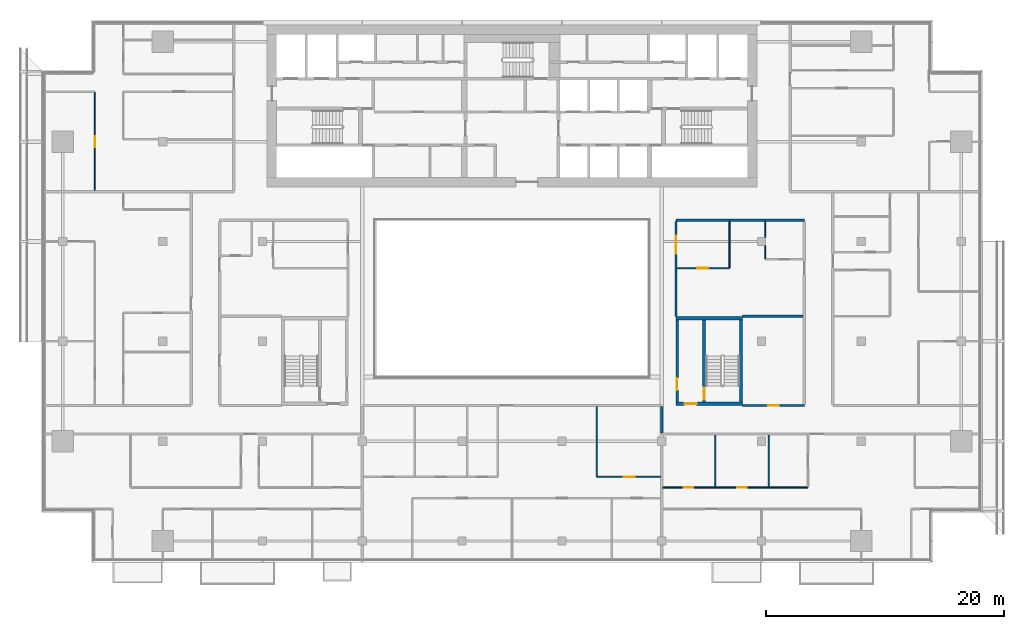
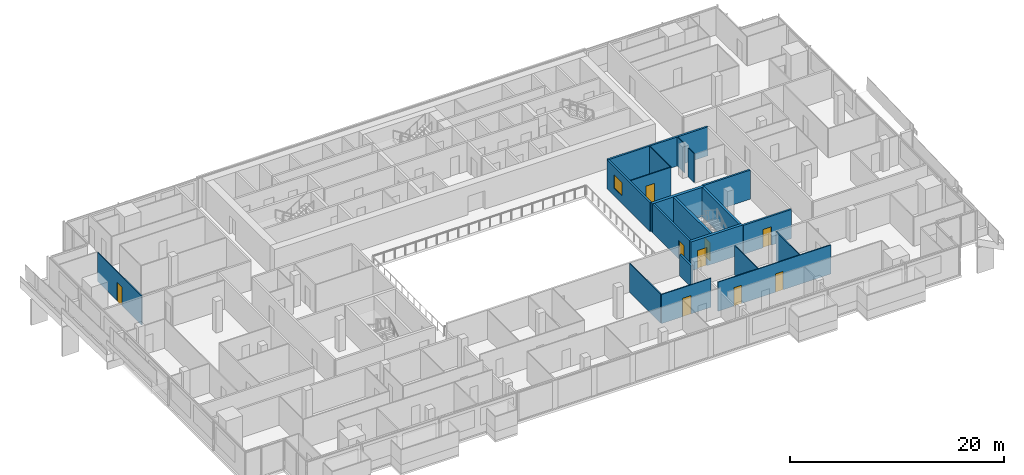
# One storey, part 20 of 29: 20 walls, 9 doors, 1 window, 10 openings.
"""IFC4 building model written with IfcOpenShell, lengths in metres."""

from ifc_helpers import new_model, si_unit, direction, frame, frame_2d, origin, place, context, subcontext, project, spatial, rectangle, extrude, material, layer, layer_set, type_object, element, fill, save


model = new_model("IFC4")

# Units and contexts
model_context = context("Model", 3, precision=1e-05, world=origin(), true_north=direction((0.0, 1.0)))
body_context = subcontext(model_context, "Body", "Model", "MODEL_VIEW")
ifc_project = project(units=[si_unit("LENGTHUNIT", "METRE"), si_unit("AREAUNIT", "SQUARE_METRE"), si_unit("VOLUMEUNIT", "CUBIC_METRE"), si_unit("PLANEANGLEUNIT", "RADIAN"), si_unit("MASSUNIT", "GRAM", prefix="KILO")], contexts=[model_context])

# Site, building, storey
site_placement = place(None, origin())
site = spatial("IfcSite", under=ifc_project, at=site_placement, CompositionType="ELEMENT")
building_placement = place(site_placement, origin())
building = spatial("IfcBuilding", under=site, at=building_placement, Name="Saffron Gate Tower", CompositionType="ELEMENT")
storey_placement = place(building_placement, frame((0.0, 0.0, 161.85009765625)))
storey = spatial("IfcBuildingStorey", under=building, at=storey_placement, Name="L39", CompositionType="ELEMENT", Elevation=161.85009765625)

# Wall, opening, door
ifc_material_1 = material(Name="Gypsum board partition on steel studs", Category="steel")
ifc_layer_1 = layer(ifc_material_1, 0.199951171875)
ifc_layer_set_1 = layer_set([ifc_layer_1], Name="CW10 Core partition 200")
wall_type_1 = type_object("IfcWallType", Name="CW10 Core partition 200", PredefinedType="PARTITIONING", material=ifc_layer_set_1)
wall_1_placement = place(storey_placement, frame((101.5, 43.5, 0.0), z_axis=(0.0, 0.0, 1.0), x_axis=(0.0, 1.0, 0.0)))
wall_1 = element("IfcWall", 1, at=wall_1_placement, inside=storey, type_object=wall_type_1, Name="Wall CW10-L39-E-2", PredefinedType="PARTITIONING", context=body_context, shape_type="SweptSolid", body=[
    extrude(rectangle(XDim=6.89990234375, YDim=0.199951171875, at=frame_2d((3.449951171875, 0.0))), origin(), (0.0, 0.0, 1.0), 3.31982421875),
])
opening_1_placement = place(wall_1_placement, frame((1.0, 0.0, 0.0)))
opening_1 = element("IfcOpeningElement", 2, at=opening_1_placement, cuts=wall_1, Name="Opening CR-22", PredefinedType="OPENING", context=body_context, shape_type="SweptSolid", body=[
    extrude(rectangle(XDim=1.0, YDim=2.10009765625, at=frame_2d((0.5, 1.050048828125))), frame((0.0, 0.10986328125, 0.0), z_axis=(0.0, -1.0, 0.0), x_axis=(1.0, 0.0, 0.0)), (0.0, 0.0, 1.0), 0.219970703125),
])
ifc_material_2 = material(Name="Steel fire door set", Category="steel")
door_type_1 = type_object("IfcDoorType", Name="CD4 Lobby door 1000x2100 EI 120", OperationType="NOTDEFINED", PredefinedType="DOOR", material=ifc_material_2)
door_1_placement = place(opening_1_placement, origin())
door_1 = element("IfcDoor", 3, at=door_1_placement, inside=storey, type_object=door_type_1, Name="DOOR CR-22", OperationType="SINGLE_SWING_LEFT", OverallHeight=2.10009765625, OverallWidth=1.0, PredefinedType="DOOR", context=body_context, shape_type="SweptSolid", body=[
    extrude(rectangle(XDim=1.0, YDim=2.10009765625, at=frame_2d((0.5, 1.050048828125))), frame((0.0, 0.02490234375, 0.0), z_axis=(0.0, -1.0, 0.0), x_axis=(1.0, 0.0, 0.0)), (0.0, 0.0, 1.0), 0.050048828125),
])
fill(opening_1, door_1)

ifc_material_3 = material(Name="Concrete C60", Category="concrete")
ifc_layer_2 = layer(ifc_material_3, 0.25)
ifc_layer_set_2 = layer_set([ifc_layer_2], Name="CW14 RC core wall 250 C60")
wall_type_2 = type_object("IfcWallType", Name="CW14 RC core wall 250 C60", PredefinedType="SOLIDWALL", material=ifc_layer_set_2)
wall_2_placement = place(storey_placement, frame((103.77490234375, 43.5, 0.0), z_axis=(0.0, 0.0, 1.0), x_axis=(0.0, 1.0, 0.0)))
wall_2 = element("IfcWall", 4, at=wall_2_placement, inside=storey, type_object=wall_type_2, Name="Wall CW14-L39-E-3", PredefinedType="SOLIDWALL", context=body_context, shape_type="SweptSolid", body=[
    extrude(rectangle(XDim=6.89990234375, YDim=0.25, at=frame_2d((3.449951171875, 0.0))), origin(), (0.0, 0.0, 1.0), 3.31982421875),
])
opening_2_placement = place(wall_2_placement, frame((0.199951171875, 0.0, 0.0)))
opening_2 = element("IfcOpeningElement", 5, at=opening_2_placement, cuts=wall_2, Name="Opening CR-23", PredefinedType="OPENING", context=body_context, shape_type="SweptSolid", body=[
    extrude(rectangle(XDim=1.0, YDim=2.10009765625, at=frame_2d((0.5, 1.050048828125))), frame((0.0, 0.135009765625, 0.0), z_axis=(0.0, -1.0, 0.0), x_axis=(1.0, 0.0, 0.0)), (0.0, 0.0, 1.0), 0.27001953125),
])
door_type_2 = type_object("IfcDoorType", Name="CD5 Stair door 1000x2100 EI 120", OperationType="NOTDEFINED", PredefinedType="DOOR", material=ifc_material_2)
door_2_placement = place(opening_2_placement, origin())
door_2 = element("IfcDoor", 6, at=door_2_placement, inside=storey, type_object=door_type_2, Name="DOOR CR-23", OperationType="SINGLE_SWING_RIGHT", OverallHeight=2.10009765625, OverallWidth=1.0, PredefinedType="DOOR", context=body_context, shape_type="SweptSolid", body=[
    extrude(rectangle(XDim=1.0, YDim=2.10009765625, at=frame_2d((0.5, 1.050048828125))), frame((0.0, 0.02490234375, 0.0), z_axis=(0.0, -1.0, 0.0), x_axis=(1.0, 0.0, 0.0)), (0.0, 0.0, 1.0), 0.050048828125),
])
fill(opening_2, door_2)

# Wall
wall_3_placement = place(storey_placement, frame((106.875, 43.5, 0.0), z_axis=(0.0, 0.0, 1.0), x_axis=(0.0, 1.0, 0.0)))
element("IfcWall", 7, at=wall_3_placement, inside=storey, type_object=wall_type_2, Name="Wall CW14-L39-E-4", PredefinedType="SOLIDWALL", context=body_context, shape_type="SweptSolid", body=[
    extrude(rectangle(XDim=6.89990234375, YDim=0.25, at=frame_2d((3.449951171875, 0.0))), origin(), (0.0, 0.0, 1.0), 3.31982421875),
])

# Wall, opening, door
ifc_layer_3 = layer(ifc_material_3, 0.300048828125)
ifc_layer_set_3 = layer_set([ifc_layer_3], Name="CW17 RC core wall 300 C60")
wall_type_3 = type_object("IfcWallType", Name="CW17 RC core wall 300 C60", PredefinedType="SOLIDWALL", material=ifc_layer_set_3)
wall_4_placement = place(storey_placement, frame((101.39990234375, 43.35009765625, 0.0), z_axis=(0.0, 0.0, 1.0), x_axis=(1.0, 0.0, 0.0)))
wall_4 = element("IfcWall", 8, at=wall_4_placement, inside=storey, type_object=wall_type_3, Name="Wall CW17-L39-E-1", PredefinedType="SOLIDWALL", context=body_context, shape_type="SweptSolid", body=[
    extrude(rectangle(XDim=5.60009765625, YDim=0.300048828125, at=frame_2d((2.800048828125, 0.0))), origin(), (0.0, 0.0, 1.0), 3.31982421875),
])
opening_3_placement = place(wall_4_placement, frame((0.72509765625, 0.0, 0.0)))
opening_3 = element("IfcOpeningElement", 9, at=opening_3_placement, cuts=wall_4, Name="Opening CR-21", PredefinedType="OPENING", context=body_context, shape_type="SweptSolid", body=[
    extrude(rectangle(XDim=1.0, YDim=2.10009765625, at=frame_2d((0.5, 1.050048828125))), frame((0.0, 0.16015625, 0.0), z_axis=(0.0, -1.0, 0.0), x_axis=(1.0, 0.0, 0.0)), (0.0, 0.0, 1.0), 0.320068359375),
])
door_3_placement = place(opening_3_placement, origin())
door_3 = element("IfcDoor", 10, at=door_3_placement, inside=storey, type_object=door_type_1, Name="DOOR CR-21", OperationType="SINGLE_SWING_RIGHT", OverallHeight=2.10009765625, OverallWidth=1.0, PredefinedType="DOOR", context=body_context, shape_type="SweptSolid", body=[
    extrude(rectangle(XDim=1.0, YDim=2.10009765625, at=frame_2d((0.5, 1.050048828125))), frame((0.0, 0.02490234375, 0.0), z_axis=(0.0, -1.0, 0.0), x_axis=(1.0, 0.0, 0.0)), (0.0, 0.0, 1.0), 0.050048828125),
])
fill(opening_3, door_3)

# Wall
wall_5_placement = place(storey_placement, frame((101.39990234375, 50.550048828125, 0.0), z_axis=(0.0, 0.0, 1.0), x_axis=(1.0, 0.0, 0.0)))
element("IfcWall", 11, at=wall_5_placement, inside=storey, type_object=wall_type_3, Name="Wall CW17-L39-E-5", PredefinedType="SOLIDWALL", context=body_context, shape_type="SweptSolid", body=[
    extrude(rectangle(XDim=5.60009765625, YDim=0.300048828125, at=frame_2d((2.800048828125, 0.0))), origin(), (0.0, 0.0, 1.0), 3.31982421875),
])

# Wall, openings, doors
ifc_material_4 = material(Name="Plasterboard on steel studs", Category="steel")
ifc_layer_4 = layer(ifc_material_4, 0.10009765625)
ifc_layer_set_4 = layer_set([ifc_layer_4], Name="PW1 Partition 100")
wall_type_4 = type_object("IfcWallType", Name="PW1 Partition 100", PredefinedType="PARTITIONING", material=ifc_layer_set_4)
wall_6_placement = place(storey_placement, frame((100.300048828125, 36.300048828125, 0.0), z_axis=(0.0, 0.0, 1.0), x_axis=(1.0, 0.0, 0.0)))
wall_6 = element("IfcWall", 12, at=wall_6_placement, inside=storey, type_object=wall_type_4, Name="Partition C2-8", PredefinedType="PARTITIONING", context=body_context, shape_type="SweptSolid", body=[
    extrude(rectangle(XDim=12.199951171875, YDim=0.10009765625, at=frame_2d((6.10009765625, 0.0))), origin(), (0.0, 0.0, 1.0), 3.31982421875),
])
opening_4_placement = place(wall_6_placement, frame((1.75, 0.0, 0.0)))
opening_4 = element("IfcOpeningElement", 13, at=opening_4_placement, cuts=wall_6, Name="Opening C2-43", PredefinedType="OPENING", context=body_context, shape_type="SweptSolid", body=[
    extrude(rectangle(XDim=0.800048828125, YDim=2.10009765625, at=frame_2d((0.39990234375, 1.050048828125))), frame((0.0, 0.06005859375, 0.0), z_axis=(0.0, -1.0, 0.0), x_axis=(1.0, 0.0, 0.0)), (0.0, 0.0, 1.0), 0.1201171875),
])
opening_5_placement = place(wall_6_placement, frame((6.25, 0.0, 0.0)))
opening_5 = element("IfcOpeningElement", 14, at=opening_5_placement, cuts=wall_6, Name="Opening C2-44", PredefinedType="OPENING", context=body_context, shape_type="SweptSolid", body=[
    extrude(rectangle(XDim=0.800048828125, YDim=2.10009765625, at=frame_2d((0.39990234375, 1.050048828125))), frame((0.0, 0.06005859375, 0.0), z_axis=(0.0, -1.0, 0.0), x_axis=(1.0, 0.0, 0.0)), (0.0, 0.0, 1.0), 0.1201171875),
])
ifc_material_5 = material(Name="Timber door set", Category="wood")
door_type_3 = type_object("IfcDoorType", Name="RD2 Bathroom door 800x2100", OperationType="NOTDEFINED", PredefinedType="DOOR", material=ifc_material_5)
door_4_placement = place(opening_4_placement, origin())
door_4 = element("IfcDoor", 15, at=door_4_placement, inside=storey, type_object=door_type_3, Name="Door C2-43", OperationType="SINGLE_SWING_LEFT", OverallHeight=2.10009765625, OverallWidth=0.800048828125, PredefinedType="DOOR", context=body_context, shape_type="SweptSolid", body=[
    extrude(rectangle(XDim=0.800048828125, YDim=2.10009765625, at=frame_2d((0.39990234375, 1.050048828125))), frame((0.0, 0.02490234375, 0.0), z_axis=(0.0, -1.0, 0.0), x_axis=(1.0, 0.0, 0.0)), (0.0, 0.0, 1.0), 0.050048828125),
])
fill(opening_4, door_4)
door_5_placement = place(opening_5_placement, origin())
door_5 = element("IfcDoor", 16, at=door_5_placement, inside=storey, type_object=door_type_3, Name="Door C2-44", OperationType="SINGLE_SWING_RIGHT", OverallHeight=2.10009765625, OverallWidth=0.800048828125, PredefinedType="DOOR", context=body_context, shape_type="SweptSolid", body=[
    extrude(rectangle(XDim=0.800048828125, YDim=2.10009765625, at=frame_2d((0.39990234375, 1.050048828125))), frame((0.0, 0.02490234375, 0.0), z_axis=(0.0, -1.0, 0.0), x_axis=(1.0, 0.0, 0.0)), (0.0, 0.0, 1.0), 0.050048828125),
])
fill(opening_5, door_5)

# Wall, opening, door
wall_7_placement = place(storey_placement, frame((94.7333984375, 37.199951171875, 0.0), z_axis=(0.0, 0.0, 1.0), x_axis=(1.0, 0.0, 0.0)))
wall_7 = element("IfcWall", 17, at=wall_7_placement, inside=storey, type_object=wall_type_4, Name="Partition C2-11", PredefinedType="PARTITIONING", context=body_context, shape_type="SweptSolid", body=[
    extrude(rectangle(XDim=5.36669921875, YDim=0.10009765625, at=frame_2d((2.683349609375, 0.0))), origin(), (0.0, 0.0, 1.0), 3.31982421875),
])
opening_6_placement = place(wall_7_placement, frame((2.283447265625, 0.0, 0.0)))
opening_6 = element("IfcOpeningElement", 18, at=opening_6_placement, cuts=wall_7, Name="Opening C2-18", PredefinedType="OPENING", context=body_context, shape_type="SweptSolid", body=[
    extrude(rectangle(XDim=0.89990234375, YDim=2.10009765625, at=frame_2d((0.449951171875, 1.050048828125))), frame((0.0, 0.06005859375, 0.0), z_axis=(0.0, -1.0, 0.0), x_axis=(1.0, 0.0, 0.0)), (0.0, 0.0, 1.0), 0.1201171875),
])
door_type_4 = type_object("IfcDoorType", Name="RD1 Room door 900x2100", OperationType="NOTDEFINED", PredefinedType="DOOR", material=ifc_material_5)
door_6_placement = place(opening_6_placement, origin())
door_6 = element("IfcDoor", 19, at=door_6_placement, inside=storey, type_object=door_type_4, Name="Door C2-18", OperationType="SINGLE_SWING_RIGHT", OverallHeight=2.10009765625, OverallWidth=0.89990234375, PredefinedType="DOOR", context=body_context, shape_type="SweptSolid", body=[
    extrude(rectangle(XDim=0.89990234375, YDim=2.10009765625, at=frame_2d((0.449951171875, 1.050048828125))), frame((0.0, 0.02490234375, 0.0), z_axis=(0.0, -1.0, 0.0), x_axis=(1.0, 0.0, 0.0)), (0.0, 0.0, 1.0), 0.050048828125),
])
fill(opening_6, door_6)

wall_8_placement = place(storey_placement, frame((101.5, 54.75, 0.0), z_axis=(0.0, 0.0, 1.0), x_axis=(1.0, 0.0, 0.0)))
wall_8 = element("IfcWall", 20, at=wall_8_placement, inside=storey, type_object=wall_type_4, Name="Partition C2-33", PredefinedType="PARTITIONING", context=body_context, shape_type="SweptSolid", body=[
    extrude(rectangle(XDim=4.39990234375, YDim=0.10009765625, at=frame_2d((2.199951171875, 0.0))), origin(), (0.0, 0.0, 1.0), 3.31982421875),
])
opening_7_placement = place(wall_8_placement, frame((1.699951171875, 0.0, 0.0)))
opening_7 = element("IfcOpeningElement", 21, at=opening_7_placement, cuts=wall_8, Name="Opening C2-38", PredefinedType="OPENING", context=body_context, shape_type="SweptSolid", body=[
    extrude(rectangle(XDim=0.89990234375, YDim=2.10009765625, at=frame_2d((0.449951171875, 1.050048828125))), frame((0.0, 0.06005859375, 0.0), z_axis=(0.0, -1.0, 0.0), x_axis=(1.0, 0.0, 0.0)), (0.0, 0.0, 1.0), 0.1201171875),
])
door_7_placement = place(opening_7_placement, origin())
door_7 = element("IfcDoor", 22, at=door_7_placement, inside=storey, type_object=door_type_4, Name="Door C2-38", OperationType="SINGLE_SWING_LEFT", OverallHeight=2.10009765625, OverallWidth=0.89990234375, PredefinedType="DOOR", context=body_context, shape_type="SweptSolid", body=[
    extrude(rectangle(XDim=0.89990234375, YDim=2.10009765625, at=frame_2d((0.449951171875, 1.050048828125))), frame((0.0, 0.02490234375, 0.0), z_axis=(0.0, -1.0, 0.0), x_axis=(1.0, 0.0, 0.0)), (0.0, 0.0, 1.0), 0.050048828125),
])
fill(opening_7, door_7)

wall_9_placement = place(storey_placement, frame((52.5, 61.300048828125, 0.0), z_axis=(0.0, 0.0, 1.0), x_axis=(0.0, 1.0, 0.0)))
wall_9 = element("IfcWall", 23, at=wall_9_placement, inside=storey, type_object=wall_type_4, Name="Partition C2-63", PredefinedType="PARTITIONING", context=body_context, shape_type="SweptSolid", body=[
    extrude(rectangle(XDim=8.25, YDim=0.10009765625, at=frame_2d((4.125, 0.0))), origin(), (0.0, 0.0, 1.0), 3.31982421875),
])
opening_8_placement = place(wall_9_placement, frame((3.64990234375, 0.0, 0.0)))
opening_8 = element("IfcOpeningElement", 24, at=opening_8_placement, cuts=wall_9, Name="Opening C2-28", PredefinedType="OPENING", context=body_context, shape_type="SweptSolid", body=[
    extrude(rectangle(XDim=0.89990234375, YDim=2.10009765625, at=frame_2d((0.449951171875, 1.050048828125))), frame((0.0, 0.06005859375, 0.0), z_axis=(0.0, -1.0, 0.0), x_axis=(1.0, 0.0, 0.0)), (0.0, 0.0, 1.0), 0.1201171875),
])
door_8_placement = place(opening_8_placement, origin())
door_8 = element("IfcDoor", 25, at=door_8_placement, inside=storey, type_object=door_type_4, Name="Door C2-28", OperationType="SINGLE_SWING_LEFT", OverallHeight=2.10009765625, OverallWidth=0.89990234375, PredefinedType="DOOR", context=body_context, shape_type="SweptSolid", body=[
    extrude(rectangle(XDim=0.89990234375, YDim=2.10009765625, at=frame_2d((0.449951171875, 1.050048828125))), frame((0.0, 0.02490234375, 0.0), z_axis=(0.0, -1.0, 0.0), x_axis=(1.0, 0.0, 0.0)), (0.0, 0.0, 1.0), 0.050048828125),
])
fill(opening_8, door_8)

# Walls
wall_10_placement = place(storey_placement, frame((94.7333984375, 43.10009765625, 0.0), z_axis=(0.0, 0.0, 1.0), x_axis=(0.0, -1.0, 0.0)))
element("IfcWall", 26, at=wall_10_placement, inside=storey, type_object=wall_type_4, Name="Partition C2-91", PredefinedType="PARTITIONING", context=body_context, shape_type="SweptSolid", body=[
    extrude(rectangle(XDim=5.85009765625, YDim=0.10009765625, at=frame_2d((2.925048828125, 0.0))), origin(), (0.0, 0.0, 1.0), 3.31982421875),
])
wall_11_placement = place(storey_placement, frame((104.699951171875, 40.699951171875, 0.0), z_axis=(0.0, 0.0, 1.0), x_axis=(0.0, -1.0, 0.0)))
element("IfcWall", 27, at=wall_11_placement, inside=storey, type_object=wall_type_4, Name="Partition C2-97", PredefinedType="PARTITIONING", context=body_context, shape_type="SweptSolid", body=[
    extrude(rectangle(XDim=4.349853515625, YDim=0.10009765625, at=frame_2d((2.1748046875, 0.0))), origin(), (0.0, 0.0, 1.0), 3.31982421875),
])
wall_12_placement = place(storey_placement, frame((105.89990234375, 58.699951171875, 0.0), z_axis=(0.0, 0.0, 1.0), x_axis=(0.0, -1.0, 0.0)))
element("IfcWall", 28, at=wall_12_placement, inside=storey, type_object=wall_type_4, Name="Partition C2-98", PredefinedType="PARTITIONING", context=body_context, shape_type="SweptSolid", body=[
    extrude(rectangle(XDim=3.89990234375, YDim=0.10009765625, at=frame_2d((1.949951171875, 0.0))), origin(), (0.0, 0.0, 1.0), 3.31982421875),
])
wall_13_placement = place(storey_placement, frame((108.89990234375, 56.6298828125, 0.0), z_axis=(0.0, 0.0, 1.0), x_axis=(0.0, -1.0, 0.0)))
element("IfcWall", 29, at=wall_13_placement, inside=storey, type_object=wall_type_4, Name="Partition C2-101", PredefinedType="PARTITIONING", context=body_context, shape_type="SweptSolid", body=[
    extrude(rectangle(XDim=1.079833984375, YDim=0.10009765625, at=frame_2d((0.5400390625, 0.0))), origin(), (0.0, 0.0, 1.0), 3.31982421875),
])
wall_14_placement = place(storey_placement, frame((108.89990234375, 58.699951171875, 0.0), z_axis=(0.0, 0.0, 1.0), x_axis=(0.0, -1.0, 0.0)))
element("IfcWall", 30, at=wall_14_placement, inside=storey, type_object=wall_type_4, Name="Partition C2-102", PredefinedType="PARTITIONING", context=body_context, shape_type="SweptSolid", body=[
    extrude(rectangle(XDim=1.329833984375, YDim=0.10009765625, at=frame_2d((0.6650390625, 0.0))), origin(), (0.0, 0.0, 1.0), 3.31982421875),
])
wall_15_placement = place(storey_placement, frame((109.199951171875, 40.699951171875, 0.0), z_axis=(0.0, 0.0, 1.0), x_axis=(0.0, -1.0, 0.0)))
element("IfcWall", 31, at=wall_15_placement, inside=storey, type_object=wall_type_4, Name="Partition C2-103", PredefinedType="PARTITIONING", context=body_context, shape_type="SweptSolid", body=[
    extrude(rectangle(XDim=4.349853515625, YDim=0.10009765625, at=frame_2d((2.1748046875, 0.0))), origin(), (0.0, 0.0, 1.0), 3.31982421875),
])
ifc_material_6 = material(Name="Clay brick masonry, rendered", Category="masonry")
ifc_layer_5 = layer(ifc_material_6, 0.199951171875)
ifc_layer_set_5 = layer_set([ifc_layer_5], Name="PW2 Demising wall 200")
wall_type_5 = type_object("IfcWallType", Name="PW2 Demising wall 200", PredefinedType="PARTITIONING", material=ifc_layer_set_5)
wall_16_placement = place(storey_placement, frame((107.0, 50.699951171875, 0.0), z_axis=(0.0, 0.0, 1.0), x_axis=(1.0, 0.0, 0.0)))
element("IfcWall", 32, at=wall_16_placement, inside=storey, type_object=wall_type_5, Name="Wall C2-27", PredefinedType="PARTITIONING", context=body_context, shape_type="SweptSolid", body=[
    extrude(rectangle(XDim=5.10009765625, YDim=0.199951171875, at=frame_2d((2.550048828125, 0.0))), origin(), (0.0, 0.0, 1.0), 3.31982421875),
])

# Wall, opening, door
ifc_layer_6 = layer(ifc_material_6, 0.199951171875)
ifc_layer_set_6 = layer_set([ifc_layer_6], Name="PW3 Corridor wall 200")
wall_type_6 = type_object("IfcWallType", Name="PW3 Corridor wall 200", PredefinedType="PARTITIONING", material=ifc_layer_set_6)
wall_17_placement = place(storey_placement, frame((107.0, 43.199951171875, 0.0), z_axis=(0.0, 0.0, 1.0), x_axis=(1.0, 0.0, 0.0)))
wall_17 = element("IfcWall", 33, at=wall_17_placement, inside=storey, type_object=wall_type_6, Name="Wall C2-19", PredefinedType="PARTITIONING", context=body_context, shape_type="SweptSolid", body=[
    extrude(rectangle(XDim=5.199951171875, YDim=0.199951171875, at=frame_2d((2.60009765625, 0.0))), origin(), (0.0, 0.0, 1.0), 3.31982421875),
])
opening_9_placement = place(wall_17_placement, frame((2.14990234375, 0.0, 0.0)))
opening_9 = element("IfcOpeningElement", 34, at=opening_9_placement, cuts=wall_17, Name="Opening C2-54", PredefinedType="OPENING", context=body_context, shape_type="SweptSolid", body=[
    extrude(rectangle(XDim=0.89990234375, YDim=2.10009765625, at=frame_2d((0.449951171875, 1.050048828125))), frame((0.0, 0.10986328125, 0.0), z_axis=(0.0, -1.0, 0.0), x_axis=(1.0, 0.0, 0.0)), (0.0, 0.0, 1.0), 0.219970703125),
])
door_type_5 = type_object("IfcDoorType", Name="SD1 Service door 900x2100", OperationType="NOTDEFINED", PredefinedType="DOOR", material=ifc_material_2)
door_9_placement = place(opening_9_placement, origin())
door_9 = element("IfcDoor", 35, at=door_9_placement, inside=storey, type_object=door_type_5, Name="Door C2-54", OperationType="SINGLE_SWING_LEFT", OverallHeight=2.10009765625, OverallWidth=0.89990234375, PredefinedType="DOOR", context=body_context, shape_type="SweptSolid", body=[
    extrude(rectangle(XDim=0.89990234375, YDim=2.10009765625, at=frame_2d((0.449951171875, 1.050048828125))), frame((0.0, 0.02490234375, 0.0), z_axis=(0.0, -1.0, 0.0), x_axis=(1.0, 0.0, 0.0)), (0.0, 0.0, 1.0), 0.050048828125),
])
fill(opening_9, door_9)

# Walls
wall_18_placement = place(storey_placement, frame((101.39990234375, 58.800048828125, 0.0), z_axis=(0.0, 0.0, 1.0), x_axis=(1.0, 0.0, 0.0)))
element("IfcWall", 36, at=wall_18_placement, inside=storey, type_object=wall_type_6, Name="Wall C2-40", PredefinedType="PARTITIONING", context=body_context, shape_type="SweptSolid", body=[
    extrude(rectangle(XDim=10.800048828125, YDim=0.199951171875, at=frame_2d((5.39990234375, 0.0))), origin(), (0.0, 0.0, 1.0), 3.31982421875),
])
wall_19_placement = place(storey_placement, frame((100.199951171875, 43.10009765625, 0.0), z_axis=(0.0, 0.0, 1.0), x_axis=(0.0, -1.0, 0.0)))
element("IfcWall", 37, at=wall_19_placement, inside=storey, type_object=wall_type_6, Name="Wall C2-93", PredefinedType="PARTITIONING", context=body_context, shape_type="SweptSolid", body=[
    extrude(rectangle(XDim=2.2001953125, YDim=0.199951171875, at=frame_2d((1.10009765625, 0.0))), origin(), (0.0, 0.0, 1.0), 2.429931640625),
])

# Wall, opening, window
wall_20_placement = place(storey_placement, frame((101.39990234375, 58.699951171875, 0.0), z_axis=(0.0, 0.0, 1.0), x_axis=(0.0, -1.0, 0.0)))
wall_20 = element("IfcWall", 38, at=wall_20_placement, inside=storey, type_object=wall_type_6, Name="Wall C2-96", PredefinedType="PARTITIONING", context=body_context, shape_type="SweptSolid", body=[
    extrude(rectangle(XDim=8.0, YDim=0.199951171875, at=frame_2d((4.0, 0.0))), origin(), (0.0, 0.0, 1.0), 3.31982421875),
])
opening_10_placement = place(wall_20_placement, frame((1.22509765625, 0.0, 0.89990234375)))
opening_10 = element("IfcOpeningElement", 39, at=opening_10_placement, cuts=wall_20, Name="Opening GW1", PredefinedType="OPENING", context=body_context, shape_type="SweptSolid", body=[
    extrude(rectangle(XDim=1.5, YDim=1.5, at=frame_2d((0.75, 0.75))), frame((0.0, 0.10986328125, 0.0), z_axis=(0.0, -1.0, 0.0), x_axis=(1.0, 0.0, 0.0)), (0.0, 0.0, 1.0), 0.219970703125),
])
ifc_material_7 = material(Name="Fire-resisting laminated glass in steel frame", Category="steel")
ifc_layer_7 = layer(ifc_material_7, 0.06005859375)
ifc_layer_set_7 = layer_set([ifc_layer_7], Name="GW1 Gallery window 1500x1500")
window_type = type_object("IfcWindowType", Name="GW1 Gallery window 1500x1500", PartitioningType="SINGLE_PANEL", PredefinedType="WINDOW", material=ifc_layer_set_7)
window_placement = place(opening_10_placement, origin())
window = element("IfcWindow", 40, at=window_placement, inside=storey, type_object=window_type, Name="GW1 window C2-J-B1", OverallHeight=1.5, OverallWidth=1.5, PartitioningType="SINGLE_PANEL", PredefinedType="WINDOW", context=body_context, shape_type="SweptSolid", body=[
    extrude(rectangle(XDim=1.5, YDim=1.5, at=frame_2d((0.75, 0.75))), frame((0.0, 0.030029296875, 0.0), z_axis=(0.0, -1.0, 0.0), x_axis=(1.0, 0.0, 0.0)), (0.0, 0.0, 1.0), 0.06005859375),
])
fill(opening_10, window)

save(model, "model.ifc")
